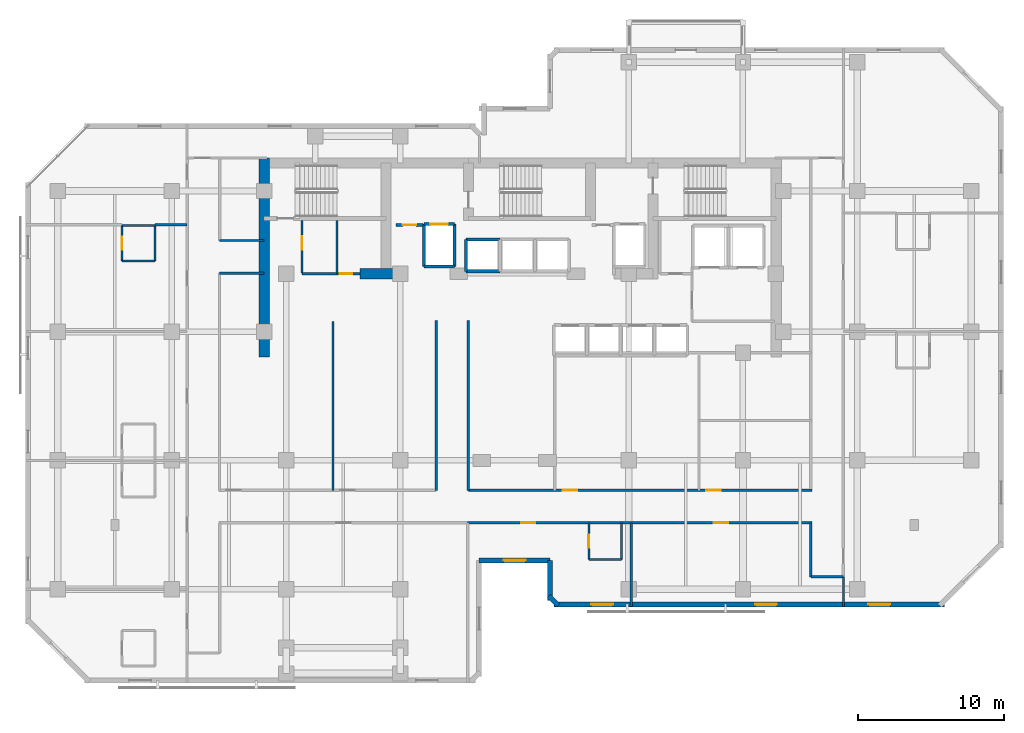
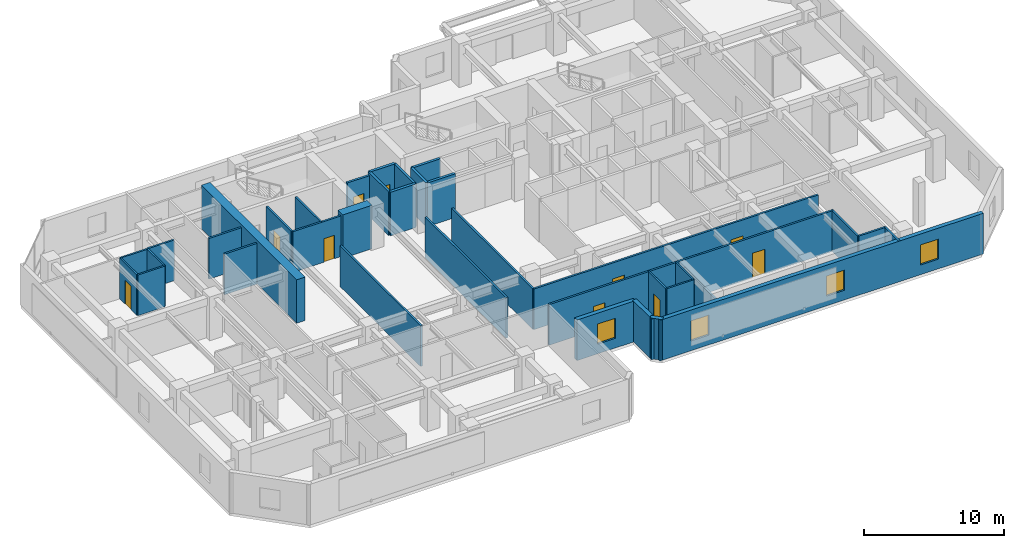
# One storey, part 5 of 10: 36 walls, 10 doors, 4 windows, 14 openings.
"""IFC4 building model written with IfcOpenShell, lengths in metres."""

import ifcopenshell
import ifcopenshell.guid

model = None  # the IFC model being written
_history = None  # IfcOwnerHistory: only IFC2X3 demands one
_inside = {}  # id of a spatial element -> (the spatial element, [elements in it])
_under = {}  # id of a project, library or spatial element -> (it, [spatial elements below it])
_declared = {}  # id of a project -> (the project, [libraries it declares])
_typed = {}  # id of a type object -> (the type object, [elements of that type])
_made_of = {}  # id of a material, layer set ... -> (it, [elements and type objects made of it])


def new_model(schema):
    """Start an empty IFC model of exactly this schema.

    Asked for "IFC4X3", IfcOpenShell would pick the latest addendum, in which some entities
    have other attributes; the version numbers below select the first issue.
    IFC2X3 requires an IfcOwnerHistory on every rooted entity: one is made here for all.
    """
    global model, _history
    if schema == "IFC4X3":
        model = ifcopenshell.file(schema_version=(4, 3, 0, 0))
    else:
        model = ifcopenshell.file(schema=schema)
    _inside.clear()
    _under.clear()
    _declared.clear()
    _typed.clear()
    _made_of.clear()
    _history = None
    if model.schema == "IFC2X3":
        org = make("IfcOrganization", Name="unknown")
        user = make(
            "IfcPersonAndOrganization",
            ThePerson=make("IfcPerson", FamilyName="unknown"),
            TheOrganization=org,
        )
        app = make(
            "IfcApplication",
            ApplicationDeveloper=org,
            Version="unknown",
            ApplicationFullName="unknown",
            ApplicationIdentifier="unknown",
        )
        _history = make(
            "IfcOwnerHistory",
            OwningUser=user,
            OwningApplication=app,
            ChangeAction="ADDED",
            CreationDate=0,
        )
    return model


def make(cls, **values):
    """One entity of the class cls with the attributes given. An attribute that is None is left unset."""
    return model.create_entity(
        cls, **{name: value for name, value in values.items() if value is not None}
    )


def rooted(cls, **values):
    """An entity with a GlobalId (a new one), such as an element, a storey or a relation."""
    return make(cls, GlobalId=ifcopenshell.guid.new(), OwnerHistory=_history, **values)


def si_unit(unit_type, name, prefix=None):
    """IfcSIUnit, for example si_unit("LENGTHUNIT", "METRE", prefix="MILLI")."""
    return make("IfcSIUnit", UnitType=unit_type, Prefix=prefix, Name=name)


def assignment(units):
    """IfcUnitAssignment: the units of a project."""
    return None if units is None else make("IfcUnitAssignment", Units=units)


def point(xyz):
    """IfcCartesianPoint."""
    return None if xyz is None else make("IfcCartesianPoint", Coordinates=xyz)


def direction(xyz):
    """IfcDirection."""
    return None if xyz is None else make("IfcDirection", DirectionRatios=xyz)


def frame(location, z_axis=None, x_axis=None):
    """IfcAxis2Placement3D, a coordinate frame: its origin and axes. An axis left out is left unset."""
    return make(
        "IfcAxis2Placement3D",
        Location=point(location),
        Axis=direction(z_axis),
        RefDirection=direction(x_axis),
    )


def frame_2d(location, x_axis=None):
    """IfcAxis2Placement2D, a coordinate frame in the plane: its origin and x axis."""
    return make(
        "IfcAxis2Placement2D", Location=point(location), RefDirection=direction(x_axis)
    )


def origin():
    """The frame at (0, 0, 0) with its axes left unset."""
    return frame((0.0, 0.0, 0.0))


def place(relative_to, where):
    """IfcLocalPlacement: puts the frame where relative to a parent placement (None: the world)."""
    return make(
        "IfcLocalPlacement", PlacementRelTo=relative_to, RelativePlacement=where
    )


def context(
    kind, dimensions, precision=None, world=None, true_north=None, identifier=None
):
    """IfcGeometricRepresentationContext, for example the 3D "Model" context."""
    return make(
        "IfcGeometricRepresentationContext",
        ContextIdentifier=identifier,
        ContextType=kind,
        CoordinateSpaceDimension=dimensions,
        Precision=precision,
        WorldCoordinateSystem=world,
        TrueNorth=true_north,
    )


def subcontext(parent, identifier, kind, view, scale=None):
    """IfcGeometricRepresentationSubContext, for example "Body" below "Model"."""
    return make(
        "IfcGeometricRepresentationSubContext",
        ContextIdentifier=identifier,
        ContextType=kind,
        ParentContext=parent,
        TargetScale=scale,
        TargetView=view,
    )


def project(units=None, contexts=None):
    """IfcProject with its units and contexts."""
    return rooted(
        "IfcProject",
        Name="project",
        RepresentationContexts=contexts,
        UnitsInContext=assignment(units),
    )


def spatial(cls, under=None, at=None, **own):
    """A site, building, storey or space (cls), placed at a placement, below another one or the project."""
    s = rooted(cls, ObjectPlacement=at, **own)
    if under is not None:
        _under.setdefault(under.id(), (under, []))[1].append(s)
    return s


def profile(cls, at=None, kind="AREA", **sizes):
    """A parametric profile (cls). Its sizes go by their IFC names, for example OverallWidth=200.0."""
    return make(cls, ProfileType=kind, Position=at, **sizes)


def rectangle(**sizes):
    """IfcRectangleProfileDef."""
    return profile("IfcRectangleProfileDef", **sizes)


def extrude(swept, where, along, depth):
    """IfcExtrudedAreaSolid: the profile swept, set in the frame where, extruded along a direction by depth."""
    return make(
        "IfcExtrudedAreaSolid",
        SweptArea=swept,
        Position=where,
        ExtrudedDirection=direction(along),
        Depth=depth,
    )


def shape(context_of_items, identifier, shape_type, items):
    """IfcShapeRepresentation: the items that make up one representation, for example the "Body"."""
    return make(
        "IfcShapeRepresentation",
        ContextOfItems=context_of_items,
        RepresentationIdentifier=identifier,
        RepresentationType=shape_type,
        Items=items,
    )


def material(Name=None, Category=None):
    """IfcMaterial."""
    return make("IfcMaterial", Name=Name, Category=Category)


def layer(
    of_material, thickness, ventilated=None, Name=None, Category=None, Priority=None
):
    """IfcMaterialLayer: one layer of a wall or slab, of a material (None: an air gap)."""
    return make(
        "IfcMaterialLayer",
        Material=of_material,
        LayerThickness=thickness,
        IsVentilated=ventilated,
        Name=Name,
        Category=Category,
        Priority=Priority,
    )


def layer_set(layers, Name=None):
    """IfcMaterialLayerSet."""
    return make("IfcMaterialLayerSet", MaterialLayers=layers, LayerSetName=Name)


def made_of(thing, what):
    """Note that an element or type object is made of a material, layer set ...; save() writes the relation."""
    if what is not None:
        _made_of.setdefault(what.id(), (what, []))[1].append(thing)
    return thing


def type_object(cls, material=None, **own):
    """A type object (cls), such as IfcWallType, which elements share."""
    return made_of(rooted(cls, **own), material)


def element(
    cls,
    number,
    at=None,
    inside=None,
    cuts=None,
    type_object=None,
    material=None,
    context=None,
    identifier="Body",
    shape_type=None,
    held_by="IfcProductDefinitionShape",
    body=None,
    shapes=None,
    **own,
):
    """One element of the class cls, such as IfcWall. Its Tag is "e" and its number.

    at: its placement. inside: the storey or other place that contains it. cuts: it is an
    opening in that element (IfcRelVoidsElement). A single representation is given by context,
    identifier, shape_type and body (its items); several are given by shapes. held_by: the class
    of the entity that holds the representations. save() writes the other relations.
    """
    e = rooted(cls, Tag="e%d" % number, ObjectPlacement=at, **own)
    if body is not None:
        shapes = [shape(context, identifier, shape_type, body)]
    if shapes is not None:
        e.Representation = make(held_by, Representations=shapes)
    if inside is not None:
        _inside.setdefault(inside.id(), (inside, []))[1].append(e)
    if cuts is not None:
        rooted(
            "IfcRelVoidsElement", RelatingBuildingElement=cuts, RelatedOpeningElement=e
        )
    if type_object is not None:
        _typed.setdefault(type_object.id(), (type_object, []))[1].append(e)
    return made_of(e, material)


def fill(opening, filler):
    """IfcRelFillsElement: the door or window that sits in an opening."""
    return rooted(
        "IfcRelFillsElement",
        RelatingOpeningElement=opening,
        RelatedBuildingElement=filler,
    )


def aggregate(whole, parts):
    """IfcRelAggregates: a whole, such as a stair, and the parts it consists of."""
    return rooted("IfcRelAggregates", RelatingObject=whole, RelatedObjects=parts)


def save(model, path):
    """Write the relations noted so far, then the file.

    IfcRelAggregates (storeys below a building ...), IfcRelContainedInSpatialStructure (elements
    in a storey), IfcRelDefinesByType, IfcRelAssociatesMaterial and IfcRelDeclares: one each for
    every whole, place, type object, material and project.
    """
    for whole, parts in _under.values():
        aggregate(whole, parts)
    for where, things in _inside.values():
        rooted(
            "IfcRelContainedInSpatialStructure",
            RelatedElements=things,
            RelatingStructure=where,
        )
    for kind, things in _typed.values():
        rooted("IfcRelDefinesByType", RelatedObjects=things, RelatingType=kind)
    for what, things in _made_of.values():
        rooted("IfcRelAssociatesMaterial", RelatedObjects=things, RelatingMaterial=what)
    for by, libraries in _declared.values():
        rooted("IfcRelDeclares", RelatingContext=by, RelatedDefinitions=libraries)
    model.write(path)


model = new_model("IFC4")

# Units and contexts
model_context = context("Model", 3, precision=1e-05, world=origin(), true_north=direction((0.0, 1.0)))
body_context = subcontext(model_context, "Body", "Model", "MODEL_VIEW")
ifc_project = project(units=[si_unit("LENGTHUNIT", "METRE"), si_unit("AREAUNIT", "SQUARE_METRE"), si_unit("VOLUMEUNIT", "CUBIC_METRE"), si_unit("PLANEANGLEUNIT", "RADIAN"), si_unit("MASSUNIT", "GRAM", prefix="KILO")], contexts=[model_context])

# Site, building, storey
site_placement = place(None, origin())
site = spatial("IfcSite", under=ifc_project, at=site_placement, CompositionType="ELEMENT")
building_placement = place(site_placement, origin())
building = spatial("IfcBuilding", under=site, at=building_placement, Name="Kestravale Grand Hotel", CompositionType="ELEMENT")
storey_placement = place(building_placement, frame((0.0, 0.0, 149.800048828125)))
storey = spatial("IfcBuildingStorey", under=building, at=storey_placement, Name="L37", CompositionType="ELEMENT", Elevation=149.800048828125)

# Walls
ifc_material_1 = material(Name="Concrete f'c 60 MPa", Category="concrete")
ifc_layer_1 = layer(ifc_material_1, 0.699951171875)
ifc_layer_set_1 = layer_set([ifc_layer_1], Name="EW-CORE-700")
wall_type_1 = type_object("IfcWallType", Name="EW-CORE-700", PredefinedType="SHEAR", material=ifc_layer_set_1)
wall_1_placement = place(storey_placement, frame((21.89990234375, 27.050048828125, 0.0), z_axis=(0.0, 0.0, 1.0), x_axis=(0.0, 1.0, 0.0)))
element("IfcWall", 1, at=wall_1_placement, inside=storey, type_object=wall_type_1, Name="L37 core shear wall W1", PredefinedType="SHEAR", context=body_context, shape_type="SweptSolid", body=[
    extrude(rectangle(XDim=13.619873046875, YDim=0.699951171875, at=frame_2d((6.81005859375, 0.0))), origin(), (0.0, 0.0, 1.0), 3.800048828125),
])
wall_2_placement = place(storey_placement, frame((28.449951171875, 32.75, 0.0), z_axis=(0.0, 0.0, 1.0), x_axis=(1.0, 0.0, 0.0)))
element("IfcWall", 2, at=wall_2_placement, inside=storey, type_object=wall_type_1, Name="L37 core shear wall S1", PredefinedType="SHEAR", context=body_context, shape_type="SweptSolid", body=[
    extrude(rectangle(XDim=2.400146484375, YDim=0.699951171875, at=frame_2d((1.2001953125, 0.0))), origin(), (0.0, 0.0, 1.0), 3.800048828125),
])

# Wall, opening, window
ifc_material_2 = material(Name="Precast concrete f'c 45 MPa", Category="concrete")
ifc_layer_2 = layer(ifc_material_2, 0.340087890625)
ifc_layer_set_2 = layer_set([ifc_layer_2], Name="EW-PREC-340")
wall_type_2 = type_object("IfcWallType", Name="EW-PREC-340", PredefinedType="SOLIDWALL", material=ifc_layer_set_2)
wall_3_placement = place(storey_placement, frame((36.580078125, 13.169921875, 0.0), z_axis=(0.0, 0.0, 1.0), x_axis=(1.0, 0.0, 0.0)))
wall_3 = element("IfcWall", 3, at=wall_3_placement, inside=storey, type_object=wall_type_2, Name="L37 fluted precast facade wall 4", PredefinedType="SOLIDWALL", context=body_context, shape_type="SweptSolid", body=[
    extrude(rectangle(XDim=4.83984375, YDim=0.340087890625, at=frame_2d((2.419921875, 0.0))), origin(), (0.0, 0.0, 1.0), 3.550048828125),
])
opening_1_placement = place(wall_3_placement, frame((1.669921875, 0.0, 0.85009765625)))
opening_1 = element("IfcOpeningElement", 4, at=opening_1_placement, cuts=wall_3, Name="Opening W-GUEST-1500", PredefinedType="OPENING", context=body_context, shape_type="SweptSolid", body=[
    extrude(rectangle(XDim=1.5, YDim=1.75, at=frame_2d((0.75, 0.875))), frame((0.0, 0.179931640625, 0.0), z_axis=(0.0, -1.0, 0.0), x_axis=(1.0, 0.0, 0.0)), (0.0, 0.0, 1.0), 0.360107421875),
])
ifc_material_3 = material(Name="Insulated low-E double glazing in aluminium frame", Category="aluminium")
window_type = type_object("IfcWindowType", Name="W-GUEST-1500", PartitioningType="SINGLE_PANEL", PredefinedType="WINDOW", material=ifc_material_3)
window_1_placement = place(opening_1_placement, origin())
window_1 = element("IfcWindow", 5, at=window_1_placement, inside=storey, type_object=window_type, Name="L37 exterior window 4.1", OverallHeight=1.75, OverallWidth=1.5, PartitioningType="SINGLE_PANEL", PredefinedType="WINDOW", context=body_context, shape_type="SweptSolid", body=[
    extrude(rectangle(XDim=1.5, YDim=1.75, at=frame_2d((0.75, 0.875))), frame((0.0, 0.030029296875, 0.0), z_axis=(0.0, -1.0, 0.0), x_axis=(1.0, 0.0, 0.0)), (0.0, 0.0, 1.0), 0.06005859375),
])
fill(opening_1, window_1)

# Walls
wall_4_placement = place(storey_placement, frame((41.419921875, 13.169921875, 0.0), z_axis=(0.0, 0.0, 1.0), x_axis=(0.0, -1.0, 0.0)))
element("IfcWall", 6, at=wall_4_placement, inside=storey, type_object=wall_type_2, Name="L37 fluted precast facade wall 5", PredefinedType="SOLIDWALL", context=body_context, shape_type="SweptSolid", body=[
    extrude(rectangle(XDim=2.739990234375, YDim=0.340087890625, at=frame_2d((1.3701171875, 0.0))), origin(), (0.0, 0.0, 1.0), 3.550048828125),
])
wall_5_placement = place(storey_placement, frame((41.341796875, 10.74853515625, 0.0), z_axis=(0.0, 0.0, 1.0), x_axis=(0.707106781187, -0.707106781187, 0.0)))
element("IfcWall", 7, at=wall_5_placement, inside=storey, type_object=wall_type_2, Name="L37 fluted precast facade wall 6", PredefinedType="SOLIDWALL", context=body_context, shape_type="SweptSolid", body=[
    extrude(rectangle(XDim=0.9287109375, YDim=0.340087890625, at=frame_2d((0.46435546875, 0.0))), origin(), (0.0, 0.0, 1.0), 3.550048828125),
])

# Wall, openings, windows
wall_6_placement = place(storey_placement, frame((41.679931640625, 10.169921875, 0.0), z_axis=(0.0, 0.0, 1.0), x_axis=(1.0, 0.0, 0.0)))
wall_6 = element("IfcWall", 8, at=wall_6_placement, inside=storey, type_object=wall_type_2, Name="L37 fluted precast facade wall 7", PredefinedType="SOLIDWALL", context=body_context, shape_type="SweptSolid", body=[
    extrude(rectangle(XDim=26.690185546875, YDim=0.340087890625, at=frame_2d((13.34521484375, 0.0))), origin(), (0.0, 0.0, 1.0), 3.550048828125),
])
opening_2_placement = place(wall_6_placement, frame((2.54833984375, 0.0, 0.85009765625)))
opening_2 = element("IfcOpeningElement", 9, at=opening_2_placement, cuts=wall_6, Name="Opening W-GUEST-1500", PredefinedType="OPENING", context=body_context, shape_type="SweptSolid", body=[
    extrude(rectangle(XDim=1.5, YDim=1.75, at=frame_2d((0.75, 0.875))), frame((0.0, 0.179931640625, 0.0), z_axis=(0.0, -1.0, 0.0), x_axis=(1.0, 0.0, 0.0)), (0.0, 0.0, 1.0), 0.360107421875),
])
opening_3_placement = place(wall_6_placement, frame((13.7451171875, 0.0, 0.85009765625)))
opening_3 = element("IfcOpeningElement", 10, at=opening_3_placement, cuts=wall_6, Name="Opening W-GUEST-1500", PredefinedType="OPENING", context=body_context, shape_type="SweptSolid", body=[
    extrude(rectangle(XDim=1.5, YDim=1.75, at=frame_2d((0.75, 0.875))), frame((0.0, 0.179931640625, 0.0), z_axis=(0.0, -1.0, 0.0), x_axis=(1.0, 0.0, 0.0)), (0.0, 0.0, 1.0), 0.360107421875),
])
opening_4_placement = place(wall_6_placement, frame((21.49169921875, 0.0, 0.85009765625)))
opening_4 = element("IfcOpeningElement", 11, at=opening_4_placement, cuts=wall_6, Name="Opening W-GUEST-1500", PredefinedType="OPENING", context=body_context, shape_type="SweptSolid", body=[
    extrude(rectangle(XDim=1.5, YDim=1.75, at=frame_2d((0.75, 0.875))), frame((0.0, 0.179931640625, 0.0), z_axis=(0.0, -1.0, 0.0), x_axis=(1.0, 0.0, 0.0)), (0.0, 0.0, 1.0), 0.360107421875),
])
window_2_placement = place(opening_2_placement, origin())
window_2 = element("IfcWindow", 12, at=window_2_placement, inside=storey, type_object=window_type, Name="L37 exterior window 7.1", OverallHeight=1.75, OverallWidth=1.5, PartitioningType="SINGLE_PANEL", PredefinedType="WINDOW", context=body_context, shape_type="SweptSolid", body=[
    extrude(rectangle(XDim=1.5, YDim=1.75, at=frame_2d((0.75, 0.875))), frame((0.0, 0.030029296875, 0.0), z_axis=(0.0, -1.0, 0.0), x_axis=(1.0, 0.0, 0.0)), (0.0, 0.0, 1.0), 0.06005859375),
])
fill(opening_2, window_2)
window_3_placement = place(opening_3_placement, origin())
window_3 = element("IfcWindow", 13, at=window_3_placement, inside=storey, type_object=window_type, Name="L37 exterior window 7.2", OverallHeight=1.75, OverallWidth=1.5, PartitioningType="SINGLE_PANEL", PredefinedType="WINDOW", context=body_context, shape_type="SweptSolid", body=[
    extrude(rectangle(XDim=1.5, YDim=1.75, at=frame_2d((0.75, 0.875))), frame((0.0, 0.030029296875, 0.0), z_axis=(0.0, -1.0, 0.0), x_axis=(1.0, 0.0, 0.0)), (0.0, 0.0, 1.0), 0.06005859375),
])
fill(opening_3, window_3)
window_4_placement = place(opening_4_placement, origin())
window_4 = element("IfcWindow", 14, at=window_4_placement, inside=storey, type_object=window_type, Name="L37 exterior window 7.3", OverallHeight=1.75, OverallWidth=1.5, PartitioningType="SINGLE_PANEL", PredefinedType="WINDOW", context=body_context, shape_type="SweptSolid", body=[
    extrude(rectangle(XDim=1.5, YDim=1.75, at=frame_2d((0.75, 0.875))), frame((0.0, 0.030029296875, 0.0), z_axis=(0.0, -1.0, 0.0), x_axis=(1.0, 0.0, 0.0)), (0.0, 0.0, 1.0), 0.06005859375),
])
fill(opening_4, window_4)

# Wall, opening, door
ifc_material_4 = material(Name="Acoustic fire-rated gypsum board partition", Category="other")
ifc_layer_3 = layer(ifc_material_4, 0.159912109375)
ifc_layer_set_3 = layer_set([ifc_layer_3], Name="IW-CORR-160")
wall_type_3 = type_object("IfcWallType", Name="IW-CORR-160", PredefinedType="PARTITIONING", material=ifc_layer_set_3)
wall_7_placement = place(storey_placement, frame((24.47998046875, 32.800048828125, 0.0), z_axis=(0.0, 0.0, 1.0), x_axis=(0.0, 1.0, 0.0)))
wall_7 = element("IfcWall", 15, at=wall_7_placement, inside=storey, type_object=wall_type_3, Name="L37 west core vestibule wall", PredefinedType="PARTITIONING", context=body_context, shape_type="SweptSolid", body=[
    extrude(rectangle(XDim=3.570068359375, YDim=0.159912109375, at=frame_2d((1.78515625, 0.0))), origin(), (0.0, 0.0, 1.0), 3.550048828125),
])
opening_5_placement = place(wall_7_placement, frame((1.603515625, 0.0, 0.0)))
opening_5 = element("IfcOpeningElement", 16, at=opening_5_placement, cuts=wall_7, Name="Opening D-SH-900", PredefinedType="OPENING", context=body_context, shape_type="SweptSolid", body=[
    extrude(rectangle(XDim=0.89990234375, YDim=2.10009765625, at=frame_2d((0.449951171875, 1.050048828125))), frame((0.0, 0.08984375, 0.0), z_axis=(0.0, -1.0, 0.0), x_axis=(1.0, 0.0, 0.0)), (0.0, 0.0, 1.0), 0.179931640625),
])
ifc_material_5 = material(Name="Galvanised 90-minute shaft and service fire door", Category="steel")
door_type_1 = type_object("IfcDoorType", Name="D-SH-900", OperationType="NOTDEFINED", PredefinedType="DOOR", material=ifc_material_5)
door_1_placement = place(opening_5_placement, origin())
door_1 = element("IfcDoor", 17, at=door_1_placement, inside=storey, type_object=door_type_1, Name="D-L37-HK", OperationType="SINGLE_SWING_RIGHT", OverallHeight=2.10009765625, OverallWidth=0.89990234375, PredefinedType="DOOR", context=body_context, shape_type="SweptSolid", body=[
    extrude(rectangle(XDim=0.89990234375, YDim=2.10009765625, at=frame_2d((0.449951171875, 1.050048828125))), frame((0.0, 0.02490234375, 0.0), z_axis=(0.0, -1.0, 0.0), x_axis=(1.0, 0.0, 0.0)), (0.0, 0.0, 1.0), 0.050048828125),
])
fill(opening_5, door_1)

wall_8_placement = place(storey_placement, frame((24.47998046875, 32.75, 0.0), z_axis=(0.0, 0.0, 1.0), x_axis=(1.0, 0.0, 0.0)))
wall_8 = element("IfcWall", 18, at=wall_8_placement, inside=storey, type_object=wall_type_3, Name="W-L37-CWS", PredefinedType="PARTITIONING", context=body_context, shape_type="SweptSolid", body=[
    extrude(rectangle(XDim=3.969970703125, YDim=0.159912109375, at=frame_2d((1.98486328125, 0.0))), origin(), (0.0, 0.0, 1.0), 3.550048828125),
])
opening_6_placement = place(wall_8_placement, frame((2.5849609375, 0.0, 0.0)))
opening_6 = element("IfcOpeningElement", 19, at=opening_6_placement, cuts=wall_8, Name="Opening D-SH-860", PredefinedType="OPENING", context=body_context, shape_type="SweptSolid", body=[
    extrude(rectangle(XDim=0.860107421875, YDim=2.050048828125, at=frame_2d((0.43017578125, 1.02490234375))), frame((0.0, 0.08984375, 0.0), z_axis=(0.0, -1.0, 0.0), x_axis=(1.0, 0.0, 0.0)), (0.0, 0.0, 1.0), 0.179931640625),
])
ifc_material_6 = material(Name="Galvanised 90-minute riser fire door", Category="steel")
door_type_2 = type_object("IfcDoorType", Name="D-SH-860", OperationType="NOTDEFINED", PredefinedType="DOOR", material=ifc_material_6)
door_2_placement = place(opening_6_placement, origin())
door_2 = element("IfcDoor", 20, at=door_2_placement, inside=storey, type_object=door_type_2, Name="D-L37-ELEC", OperationType="SINGLE_SWING_RIGHT", OverallHeight=2.050048828125, OverallWidth=0.860107421875, PredefinedType="DOOR", context=body_context, shape_type="SweptSolid", body=[
    extrude(rectangle(XDim=0.860107421875, YDim=2.050048828125, at=frame_2d((0.43017578125, 1.02490234375))), frame((0.0, 0.02490234375, 0.0), z_axis=(0.0, -1.0, 0.0), x_axis=(1.0, 0.0, 0.0)), (0.0, 0.0, 1.0), 0.050048828125),
])
fill(opening_6, door_2)

# Wall, openings, doors
wall_9_placement = place(storey_placement, frame((35.85009765625, 17.9599609375, 0.0), z_axis=(0.0, 0.0, 1.0), x_axis=(1.0, 0.0, 0.0)))
wall_9 = element("IfcWall", 21, at=wall_9_placement, inside=storey, type_object=wall_type_3, Name="W-L37-CE-N", PredefinedType="PARTITIONING", context=body_context, shape_type="SweptSolid", body=[
    extrude(rectangle(XDim=23.449951171875, YDim=0.159912109375, at=frame_2d((11.72509765625, 0.0))), origin(), (0.0, 0.0, 1.0), 3.550048828125),
])
opening_7_placement = place(wall_9_placement, frame((6.449951171875, 0.0, 0.0)))
opening_7 = element("IfcOpeningElement", 22, at=opening_7_placement, cuts=wall_9, Name="Opening D-GUEST-1000", PredefinedType="OPENING", context=body_context, shape_type="SweptSolid", body=[
    extrude(rectangle(XDim=1.0, YDim=2.14990234375, at=frame_2d((0.5, 1.074951171875))), frame((0.0, 0.08984375, 0.0), z_axis=(0.0, -1.0, 0.0), x_axis=(1.0, 0.0, 0.0)), (0.0, 0.0, 1.0), 0.179931640625),
])
opening_8_placement = place(wall_9_placement, frame((16.25, 0.0, 0.0)))
opening_8 = element("IfcOpeningElement", 23, at=opening_8_placement, cuts=wall_9, Name="Opening D-GUEST-1000", PredefinedType="OPENING", context=body_context, shape_type="SweptSolid", body=[
    extrude(rectangle(XDim=1.0, YDim=2.14990234375, at=frame_2d((0.5, 1.074951171875))), frame((0.0, 0.08984375, 0.0), z_axis=(0.0, -1.0, 0.0), x_axis=(1.0, 0.0, 0.0)), (0.0, 0.0, 1.0), 0.179931640625),
])
ifc_material_7 = material(Name="Accessible walnut veneer hotel entrance fire door", Category="wood")
door_type_3 = type_object("IfcDoorType", Name="D-GUEST-1000", OperationType="NOTDEFINED", PredefinedType="DOOR", material=ifc_material_7)
door_3_placement = place(opening_7_placement, origin())
door_3 = element("IfcDoor", 24, at=door_3_placement, inside=storey, type_object=door_type_3, Name="D-L37-RECL-E1", OperationType="SINGLE_SWING_LEFT", OverallHeight=2.14990234375, OverallWidth=1.0, PredefinedType="DOOR", context=body_context, shape_type="SweptSolid", body=[
    extrude(rectangle(XDim=1.0, YDim=2.14990234375, at=frame_2d((0.5, 1.074951171875))), frame((0.0, 0.02490234375, 0.0), z_axis=(0.0, -1.0, 0.0), x_axis=(1.0, 0.0, 0.0)), (0.0, 0.0, 1.0), 0.050048828125),
])
fill(opening_7, door_3)
door_4_placement = place(opening_8_placement, origin())
door_4 = element("IfcDoor", 25, at=door_4_placement, inside=storey, type_object=door_type_3, Name="D-L37-RECL-E2", OperationType="SINGLE_SWING_RIGHT", OverallHeight=2.14990234375, OverallWidth=1.0, PredefinedType="DOOR", context=body_context, shape_type="SweptSolid", body=[
    extrude(rectangle(XDim=1.0, YDim=2.14990234375, at=frame_2d((0.5, 1.074951171875))), frame((0.0, 0.02490234375, 0.0), z_axis=(0.0, -1.0, 0.0), x_axis=(1.0, 0.0, 0.0)), (0.0, 0.0, 1.0), 0.050048828125),
])
fill(opening_8, door_4)

# Walls
for number, where, z_axis, x_axis, name in (
    (26, (33.64990234375, 17.9599609375, 0.0), (0.0, 0.0, 1.0), (0.0, 1.0, 0.0), "W-L37-TRUNK-W"),
    (27, (35.85009765625, 17.9599609375, 0.0), (0.0, 0.0, 1.0), (0.0, 1.0, 0.0), "W-L37-TRUNK-E"),
):
    element("IfcWall", number, at=place(storey_placement, frame(where, z_axis=z_axis, x_axis=x_axis)), inside=storey, type_object=wall_type_3, Name=name, PredefinedType="PARTITIONING", context=body_context, shape_type="SweptSolid", body=[
        extrude(rectangle(XDim=11.590087890625, YDim=0.159912109375, at=frame_2d((5.794921875, 0.0))), origin(), (0.0, 0.0, 1.0), 3.550048828125),
    ])

# Wall, openings, doors
wall_10_placement = place(storey_placement, frame((35.800048828125, 15.739990234375, 0.0), z_axis=(0.0, 0.0, 1.0), x_axis=(1.0, 0.0, 0.0)))
wall_10 = element("IfcWall", 28, at=wall_10_placement, inside=storey, type_object=wall_type_3, Name="W-L37-CE-S", PredefinedType="PARTITIONING", context=body_context, shape_type="SweptSolid", body=[
    extrude(rectangle(XDim=23.5, YDim=0.159912109375, at=frame_2d((11.75, 0.0))), origin(), (0.0, 0.0, 1.0), 3.550048828125),
])
opening_9_placement = place(wall_10_placement, frame((3.659912109375, 0.0, 0.0)))
opening_9 = element("IfcOpeningElement", 29, at=opening_9_placement, cuts=wall_10, Name="Opening D-GUEST-950", PredefinedType="OPENING", context=body_context, shape_type="SweptSolid", body=[
    extrude(rectangle(XDim=0.949951171875, YDim=2.10009765625, at=frame_2d((0.47509765625, 1.050048828125))), frame((0.0, 0.08984375, 0.0), z_axis=(0.0, -1.0, 0.0), x_axis=(1.0, 0.0, 0.0)), (0.0, 0.0, 1.0), 0.179931640625),
])
opening_10_placement = place(wall_10_placement, frame((16.804931640625, 0.0, 0.0)))
opening_10 = element("IfcOpeningElement", 30, at=opening_10_placement, cuts=wall_10, Name="Opening D-GUEST-1000", PredefinedType="OPENING", context=body_context, shape_type="SweptSolid", body=[
    extrude(rectangle(XDim=1.0, YDim=2.14990234375, at=frame_2d((0.5, 1.074951171875))), frame((0.0, 0.08984375, 0.0), z_axis=(0.0, -1.0, 0.0), x_axis=(1.0, 0.0, 0.0)), (0.0, 0.0, 1.0), 0.179931640625),
])
door_5_placement = place(opening_10_placement, origin())
door_5 = element("IfcDoor", 31, at=door_5_placement, inside=storey, type_object=door_type_3, Name="D-L37-AME", OperationType="SINGLE_SWING_RIGHT", OverallHeight=2.14990234375, OverallWidth=1.0, PredefinedType="DOOR", context=body_context, shape_type="SweptSolid", body=[
    extrude(rectangle(XDim=1.0, YDim=2.14990234375, at=frame_2d((0.5, 1.074951171875))), frame((0.0, 0.02490234375, 0.0), z_axis=(0.0, -1.0, 0.0), x_axis=(1.0, 0.0, 0.0)), (0.0, 0.0, 1.0), 0.050048828125),
])
fill(opening_10, door_5)
ifc_material_8 = material(Name="Walnut veneer hotel guestroom entrance fire door", Category="wood")
door_type_4 = type_object("IfcDoorType", Name="D-GUEST-950", OperationType="NOTDEFINED", PredefinedType="DOOR", material=ifc_material_8)
door_6_placement = place(opening_9_placement, origin())
door_6 = element("IfcDoor", 32, at=door_6_placement, inside=storey, type_object=door_type_4, Name="D-L37-U01-ENT", OperationType="SINGLE_SWING_LEFT", OverallHeight=2.10009765625, OverallWidth=0.949951171875, PredefinedType="DOOR", context=body_context, shape_type="SweptSolid", body=[
    extrude(rectangle(XDim=0.949951171875, YDim=2.10009765625, at=frame_2d((0.47509765625, 1.050048828125))), frame((0.0, 0.02490234375, 0.0), z_axis=(0.0, -1.0, 0.0), x_axis=(1.0, 0.0, 0.0)), (0.0, 0.0, 1.0), 0.050048828125),
])
fill(opening_9, door_6)

# Walls
for number, where, z_axis, x_axis, name in (
    (33, (18.860107421875, 35.02001953125, 0.0), (0.0, 0.0, 1.0), (1.0, 0.0, 0.0), "W-L37-SW-CN"),
    (34, (18.860107421875, 32.780029296875, 0.0), (0.0, 0.0, 1.0), (1.0, 0.0, 0.0), "W-L37-SW-CS"),
):
    element("IfcWall", number, at=place(storey_placement, frame(where, z_axis=z_axis, x_axis=x_axis)), inside=storey, type_object=wall_type_3, Name=name, PredefinedType="PARTITIONING", context=body_context, shape_type="SweptSolid", body=[
        extrude(rectangle(XDim=3.039794921875, YDim=0.159912109375, at=frame_2d((1.52001953125, 0.0))), origin(), (0.0, 0.0, 1.0), 3.550048828125),
    ])
wall_11_placement = place(storey_placement, frame((59.239990234375, 12.050048828125, 0.0), z_axis=(0.0, 0.0, 1.0), x_axis=(0.0, 1.0, 0.0)))
element("IfcWall", 35, at=wall_11_placement, inside=storey, type_object=wall_type_3, Name="W-L37-SE-W", PredefinedType="PARTITIONING", context=body_context, shape_type="SweptSolid", body=[
    extrude(rectangle(XDim=3.68994140625, YDim=0.159912109375, at=frame_2d((1.844970703125, 0.0))), origin(), (0.0, 0.0, 1.0), 3.550048828125),
])

# Wall, opening, door
ifc_material_9 = material(Name="Fire-rated gypsum board on steel studs with mineral wool", Category="steel")
ifc_layer_4 = layer(ifc_material_9, 0.179931640625)
ifc_layer_set_4 = layer_set([ifc_layer_4], Name="IW-FSAE-180")
wall_type_4 = type_object("IfcWallType", Name="IW-FSAE-180", PredefinedType="PARTITIONING", material=ifc_layer_set_4)
wall_12_placement = place(storey_placement, frame((30.89990234375, 36.080078125, 0.0), z_axis=(0.0, 0.0, 1.0), x_axis=(1.0, 0.0, 0.0)))
wall_12 = element("IfcWall", 36, at=wall_12_placement, inside=storey, type_object=wall_type_4, Name="L37 FSAE Lobby 1 smoke barrier", PredefinedType="PARTITIONING", context=body_context, shape_type="SweptSolid", body=[
    extrude(rectangle(XDim=1.85009765625, YDim=0.179931640625, at=frame_2d((0.925048828125, 0.0))), origin(), (0.0, 0.0, 1.0), 3.550048828125),
])
opening_11_placement = place(wall_12_placement, frame((0.47998046875, 0.0, 0.0)))
opening_11 = element("IfcOpeningElement", 37, at=opening_11_placement, cuts=wall_12, Name="Opening D-FSAE-1000", PredefinedType="OPENING", context=body_context, shape_type="SweptSolid", body=[
    extrude(rectangle(XDim=0.89990234375, YDim=2.14990234375, at=frame_2d((0.449951171875, 1.074951171875))), frame((0.0, 0.099853515625, 0.0), z_axis=(0.0, -1.0, 0.0), x_axis=(1.0, 0.0, 0.0)), (0.0, 0.0, 1.0), 0.199951171875),
])
ifc_material_10 = material(Name="Smoke-gasketed FSAE lobby fire door", Category="steel")
door_type_5 = type_object("IfcDoorType", Name="D-FSAE-1000", OperationType="NOTDEFINED", PredefinedType="DOOR", material=ifc_material_10)
door_7_placement = place(opening_11_placement, origin())
door_7 = element("IfcDoor", 38, at=door_7_placement, inside=storey, type_object=door_type_5, Name="L37 FSAE Lobby 1 fire door", OperationType="SINGLE_SWING_RIGHT", OverallHeight=2.14990234375, OverallWidth=0.89990234375, PredefinedType="DOOR", context=body_context, shape_type="SweptSolid", body=[
    extrude(rectangle(XDim=0.89990234375, YDim=2.14990234375, at=frame_2d((0.449951171875, 1.074951171875))), frame((0.0, 0.02490234375, 0.0), z_axis=(0.0, -1.0, 0.0), x_axis=(1.0, 0.0, 0.0)), (0.0, 0.0, 1.0), 0.050048828125),
])
fill(opening_11, door_7)

ifc_material_11 = material(Name="Moisture-resistant tile-backer plumbing chase wall", Category="other")
ifc_layer_5 = layer(ifc_material_11, 0.139892578125)
ifc_layer_set_5 = layer_set([ifc_layer_5], Name="IW-PLB-140")
wall_type_5 = type_object("IfcWallType", Name="IW-PLB-140", PredefinedType="PLUMBINGWALL", material=ifc_layer_set_5)
wall_13_placement = place(storey_placement, frame((44.070068359375, 13.22998046875, 0.0), z_axis=(0.0, 0.0, 1.0), x_axis=(0.0, 1.0, 0.0)))
wall_13 = element("IfcWall", 39, at=wall_13_placement, inside=storey, type_object=wall_type_5, Name="W-L37-U01-BW", PredefinedType="PLUMBINGWALL", context=body_context, shape_type="SweptSolid", body=[
    extrude(rectangle(XDim=2.489990234375, YDim=0.139892578125, at=frame_2d((1.2451171875, 0.0))), origin(), (0.0, 0.0, 1.0), 3.550048828125),
])
opening_12_placement = place(wall_13_placement, frame((0.804931640625, 0.0, 0.0)))
opening_12 = element("IfcOpeningElement", 40, at=opening_12_placement, cuts=wall_13, Name="Opening D-BATH-880", PredefinedType="OPENING", context=body_context, shape_type="SweptSolid", body=[
    extrude(rectangle(XDim=0.8798828125, YDim=2.050048828125, at=frame_2d((0.43994140625, 1.02490234375))), frame((0.0, 0.079833984375, 0.0), z_axis=(0.0, -1.0, 0.0), x_axis=(1.0, 0.0, 0.0)), (0.0, 0.0, 1.0), 0.159912109375),
])
ifc_material_12 = material(Name="Moisture-sealed walnut en-suite bathroom door", Category="wood")
door_type_6 = type_object("IfcDoorType", Name="D-BATH-880", OperationType="NOTDEFINED", PredefinedType="DOOR", material=ifc_material_12)
door_8_placement = place(opening_12_placement, origin())
door_8 = element("IfcDoor", 41, at=door_8_placement, inside=storey, type_object=door_type_6, Name="D-L37-U01-BATH", OperationType="SINGLE_SWING_RIGHT", OverallHeight=2.050048828125, OverallWidth=0.8798828125, PredefinedType="DOOR", context=body_context, shape_type="SweptSolid", body=[
    extrude(rectangle(XDim=0.8798828125, YDim=2.050048828125, at=frame_2d((0.43994140625, 1.02490234375))), frame((0.0, 0.02490234375, 0.0), z_axis=(0.0, -1.0, 0.0), x_axis=(1.0, 0.0, 0.0)), (0.0, 0.0, 1.0), 0.050048828125),
])
fill(opening_12, door_8)

# Walls
wall_14_placement = place(storey_placement, frame((46.320068359375, 13.22998046875, 0.0), z_axis=(0.0, 0.0, 1.0), x_axis=(0.0, 1.0, 0.0)))
element("IfcWall", 42, at=wall_14_placement, inside=storey, type_object=wall_type_5, Name="W-L37-U01-BE", PredefinedType="PLUMBINGWALL", context=body_context, shape_type="SweptSolid", body=[
    extrude(rectangle(XDim=2.489990234375, YDim=0.139892578125, at=frame_2d((1.2451171875, 0.0))), origin(), (0.0, 0.0, 1.0), 3.550048828125),
])
wall_15_placement = place(storey_placement, frame((44.070068359375, 13.22998046875, 0.0), z_axis=(0.0, 0.0, 1.0), x_axis=(1.0, 0.0, 0.0)))
element("IfcWall", 43, at=wall_15_placement, inside=storey, type_object=wall_type_5, Name="W-L37-U01-BS", PredefinedType="PLUMBINGWALL", context=body_context, shape_type="SweptSolid", body=[
    extrude(rectangle(XDim=2.25, YDim=0.139892578125, at=frame_2d((1.125, 0.0))), origin(), (0.0, 0.0, 1.0), 3.550048828125),
])

# Wall, opening, door
wall_16_placement = place(storey_placement, frame((12.199951171875, 33.610107421875, 0.0), z_axis=(0.0, 0.0, 1.0), x_axis=(0.0, 1.0, 0.0)))
wall_16 = element("IfcWall", 44, at=wall_16_placement, inside=storey, type_object=wall_type_5, Name="W-L37-U05-BW", PredefinedType="PLUMBINGWALL", context=body_context, shape_type="SweptSolid", body=[
    extrude(rectangle(XDim=2.449951171875, YDim=0.139892578125, at=frame_2d((1.22509765625, 0.0))), origin(), (0.0, 0.0, 1.0), 3.550048828125),
])
opening_13_placement = place(wall_16_placement, frame((0.784912109375, 0.0, 0.0)))
opening_13 = element("IfcOpeningElement", 45, at=opening_13_placement, cuts=wall_16, Name="Opening D-BATH-880", PredefinedType="OPENING", context=body_context, shape_type="SweptSolid", body=[
    extrude(rectangle(XDim=0.8798828125, YDim=2.050048828125, at=frame_2d((0.43994140625, 1.02490234375))), frame((0.0, 0.079833984375, 0.0), z_axis=(0.0, -1.0, 0.0), x_axis=(1.0, 0.0, 0.0)), (0.0, 0.0, 1.0), 0.159912109375),
])
door_9_placement = place(opening_13_placement, origin())
door_9 = element("IfcDoor", 46, at=door_9_placement, inside=storey, type_object=door_type_6, Name="D-L37-U05-BATH", OperationType="SINGLE_SWING_LEFT", OverallHeight=2.050048828125, OverallWidth=0.8798828125, PredefinedType="DOOR", context=body_context, shape_type="SweptSolid", body=[
    extrude(rectangle(XDim=0.8798828125, YDim=2.050048828125, at=frame_2d((0.43994140625, 1.02490234375))), frame((0.0, 0.02490234375, 0.0), z_axis=(0.0, -1.0, 0.0), x_axis=(1.0, 0.0, 0.0)), (0.0, 0.0, 1.0), 0.050048828125),
])
fill(opening_13, door_9)

# Walls
wall_17_placement = place(storey_placement, frame((14.449951171875, 33.610107421875, 0.0), z_axis=(0.0, 0.0, 1.0), x_axis=(0.0, 1.0, 0.0)))
element("IfcWall", 47, at=wall_17_placement, inside=storey, type_object=wall_type_5, Name="W-L37-U05-BE", PredefinedType="PLUMBINGWALL", context=body_context, shape_type="SweptSolid", body=[
    extrude(rectangle(XDim=2.449951171875, YDim=0.139892578125, at=frame_2d((1.22509765625, 0.0))), origin(), (0.0, 0.0, 1.0), 3.550048828125),
])
for number, where, z_axis, x_axis, name in (
    (48, (12.199951171875, 33.610107421875, 0.0), (0.0, 0.0, 1.0), (1.0, 0.0, 0.0), "W-L37-U05-BS"),
    (49, (12.199951171875, 36.06005859375, 0.0), (0.0, 0.0, 1.0), (1.0, 0.0, 0.0), "W-L37-U05-BN"),
):
    element("IfcWall", number, at=place(storey_placement, frame(where, z_axis=z_axis, x_axis=x_axis)), inside=storey, type_object=wall_type_5, Name=name, PredefinedType="PLUMBINGWALL", context=body_context, shape_type="SweptSolid", body=[
        extrude(rectangle(XDim=2.25, YDim=0.139892578125, at=frame_2d((1.125, 0.0))), origin(), (0.0, 0.0, 1.0), 3.550048828125),
    ])
ifc_material_13 = material(Name="Concrete f'c 45 MPa", Category="concrete")
ifc_layer_6 = layer(ifc_material_13, 0.199951171875)
ifc_layer_set_6 = layer_set([ifc_layer_6], Name="IW-SHAFT-200")
wall_type_6 = type_object("IfcWallType", Name="IW-SHAFT-200", PredefinedType="SHEAR", material=ifc_layer_set_6)
wall_18_placement = place(storey_placement, frame((35.679931640625, 32.919921875, 0.0), z_axis=(0.0, 0.0, 1.0), x_axis=(0.0, 1.0, 0.0)))
element("IfcWall", 50, at=wall_18_placement, inside=storey, type_object=wall_type_6, Name="L37 PL-X1 west shaft wall", PredefinedType="SHEAR", context=body_context, shape_type="SweptSolid", body=[
    extrude(rectangle(XDim=2.16015625, YDim=0.199951171875, at=frame_2d((1.080078125, 0.0))), origin(), (0.0, 0.0, 1.0), 3.800048828125),
])
for number, where, z_axis, x_axis, name in (
    (51, (32.804931640625, 33.2451171875, 0.0), (0.0, 0.0, 1.0), (0.0, 1.0, 0.0), "L37 FL-1 west shaft wall"),
    (52, (34.89501953125, 33.2451171875, 0.0), (0.0, 0.0, 1.0), (0.0, 1.0, 0.0), "L37 FL-1 east shaft wall"),
):
    element("IfcWall", number, at=place(storey_placement, frame(where, z_axis=z_axis, x_axis=x_axis)), inside=storey, type_object=wall_type_6, Name=name, PredefinedType="SHEAR", context=body_context, shape_type="SweptSolid", body=[
        extrude(rectangle(XDim=2.909912109375, YDim=0.199951171875, at=frame_2d((1.455078125, 0.0))), origin(), (0.0, 0.0, 1.0), 3.800048828125),
    ])
ifc_material_14 = material(Name="Concrete f'c 45 MPa", Category="concrete")
ifc_layer_7 = layer(ifc_material_14, 0.219970703125)
ifc_layer_set_7 = layer_set([ifc_layer_7], Name="IW-SHAFT-220")
wall_type_7 = type_object("IfcWallType", Name="IW-SHAFT-220", PredefinedType="SHEAR", material=ifc_layer_set_7)
for number, where, z_axis, x_axis, name in (
    (53, (35.679931640625, 35.080078125, 0.0), (0.0, 0.0, 1.0), (1.0, 0.0, 0.0), "L37 PL-X1 north shaft wall"),
    (54, (35.679931640625, 32.919921875, 0.0), (0.0, 0.0, 1.0), (1.0, 0.0, 0.0), "L37 PL-X1 south shaft wall"),
):
    element("IfcWall", number, at=place(storey_placement, frame(where, z_axis=z_axis, x_axis=x_axis)), inside=storey, type_object=wall_type_7, Name=name, PredefinedType="SHEAR", context=body_context, shape_type="SweptSolid", body=[
        extrude(rectangle(XDim=2.320068359375, YDim=0.219970703125, at=frame_2d((1.16015625, 0.0))), origin(), (0.0, 0.0, 1.0), 3.800048828125),
    ])

# Wall, opening, door
wall_19_placement = place(storey_placement, frame((32.804931640625, 36.155029296875, 0.0), z_axis=(0.0, 0.0, 1.0), x_axis=(1.0, 0.0, 0.0)))
wall_19 = element("IfcWall", 55, at=wall_19_placement, inside=storey, type_object=wall_type_7, Name="L37 FL-1 north shaft wall", PredefinedType="SHEAR", context=body_context, shape_type="SweptSolid", body=[
    extrude(rectangle(XDim=2.090087890625, YDim=0.219970703125, at=frame_2d((1.044921875, 0.0))), origin(), (0.0, 0.0, 1.0), 3.800048828125),
])
opening_14_placement = place(wall_19_placement, frame((0.445068359375, 0.0, 0.0)))
opening_14 = element("IfcOpeningElement", 56, at=opening_14_placement, cuts=wall_19, Name="Opening LD-FSAE-1200", PredefinedType="OPENING", context=body_context, shape_type="SweptSolid", body=[
    extrude(rectangle(XDim=1.199951171875, YDim=2.14990234375, at=frame_2d((0.60009765625, 1.074951171875))), frame((0.0, 0.119873046875, 0.0), z_axis=(0.0, -1.0, 0.0), x_axis=(1.0, 0.0, 0.0)), (0.0, 0.0, 1.0), 0.239990234375),
])
ifc_material_15 = material(Name="Stainless fire-service sliding elevator landing door", Category="steel")
door_type_7 = type_object("IfcDoorType", Name="LD-FSAE-1200", OperationType="NOTDEFINED", PredefinedType="DOOR", material=ifc_material_15)
door_10_placement = place(opening_14_placement, origin())
door_10 = element("IfcDoor", 57, at=door_10_placement, inside=storey, type_object=door_type_7, Name="L37 FL-1 elevator landing sliding door", OperationType="DOUBLE_DOOR_SLIDING", OverallHeight=2.14990234375, OverallWidth=1.199951171875, PredefinedType="DOOR", context=body_context, shape_type="SweptSolid", body=[
    extrude(rectangle(XDim=1.199951171875, YDim=2.14990234375, at=frame_2d((0.60009765625, 1.074951171875))), frame((0.0, 0.02490234375, 0.0), z_axis=(0.0, -1.0, 0.0), x_axis=(1.0, 0.0, 0.0)), (0.0, 0.0, 1.0), 0.050048828125),
])
fill(opening_14, door_10)

# Walls
wall_20_placement = place(storey_placement, frame((32.804931640625, 33.2451171875, 0.0), z_axis=(0.0, 0.0, 1.0), x_axis=(1.0, 0.0, 0.0)))
element("IfcWall", 58, at=wall_20_placement, inside=storey, type_object=wall_type_7, Name="L37 FL-1 south shaft wall", PredefinedType="SHEAR", context=body_context, shape_type="SweptSolid", body=[
    extrude(rectangle(XDim=2.090087890625, YDim=0.219970703125, at=frame_2d((1.044921875, 0.0))), origin(), (0.0, 0.0, 1.0), 3.800048828125),
])
ifc_material_16 = material(Name="Double-stud STC 52 acoustic demising partition", Category="other")
ifc_layer_8 = layer(ifc_material_16, 0.14990234375)
ifc_layer_set_8 = layer_set([ifc_layer_8], Name="IW-UNIT-150")
wall_type_8 = type_object("IfcWallType", Name="IW-UNIT-150", PredefinedType="PARTITIONING", material=ifc_layer_set_8)
wall_21_placement = place(storey_placement, frame((26.8798828125, 32.75, 0.0), z_axis=(0.0, 0.0, 1.0), x_axis=(0.0, 1.0, 0.0)))
element("IfcWall", 59, at=wall_21_placement, inside=storey, type_object=wall_type_8, Name="W-L37-CC0-1", PredefinedType="PARTITIONING", context=body_context, shape_type="SweptSolid", body=[
    extrude(rectangle(XDim=3.6201171875, YDim=0.14990234375, at=frame_2d((1.81005859375, 0.0))), origin(), (0.0, 0.0, 1.0), 3.550048828125),
])
wall_22_placement = place(storey_placement, frame((59.239990234375, 12.050048828125, 0.0), z_axis=(0.0, 0.0, 1.0), x_axis=(1.0, 0.0, 0.0)))
element("IfcWall", 60, at=wall_22_placement, inside=storey, type_object=wall_type_8, Name="W-L37-SE-S", PredefinedType="PARTITIONING", context=body_context, shape_type="SweptSolid", body=[
    extrude(rectangle(XDim=2.219970703125, YDim=0.14990234375, at=frame_2d((1.10986328125, 0.0))), origin(), (0.0, 0.0, 1.0), 3.550048828125),
])
wall_23_placement = place(storey_placement, frame((26.60009765625, 17.9599609375, 0.0), z_axis=(0.0, 0.0, 1.0), x_axis=(0.0, 1.0, 0.0)))
element("IfcWall", 61, at=wall_23_placement, inside=storey, type_object=wall_type_8, Name="W-L37-RCLW-M", PredefinedType="PARTITIONING", context=body_context, shape_type="SweptSolid", body=[
    extrude(rectangle(XDim=11.5400390625, YDim=0.14990234375, at=frame_2d((5.77001953125, 0.0))), origin(), (0.0, 0.0, 1.0), 3.550048828125),
])
wall_24_placement = place(storey_placement, frame((46.969970703125, 10.02001953125, 0.0), z_axis=(0.0, 0.0, 1.0), x_axis=(0.0, 1.0, 0.0)))
element("IfcWall", 62, at=wall_24_placement, inside=storey, type_object=wall_type_8, Name="W-L37-ES-1", PredefinedType="PARTITIONING", context=body_context, shape_type="SweptSolid", body=[
    extrude(rectangle(XDim=5.719970703125, YDim=0.14990234375, at=frame_2d((2.85986328125, 0.0))), origin(), (0.0, 0.0, 1.0), 2.89990234375),
])
wall_25_placement = place(storey_placement, frame((14.449951171875, 36.10009765625, 0.0), z_axis=(0.0, 0.0, 1.0), x_axis=(1.0, 0.0, 0.0)))
element("IfcWall", 63, at=wall_25_placement, inside=storey, type_object=wall_type_8, Name="W-L37-WW-4", PredefinedType="PARTITIONING", context=body_context, shape_type="SweptSolid", body=[
    extrude(rectangle(XDim=2.18994140625, YDim=0.14990234375, at=frame_2d((1.094970703125, 0.0))), origin(), (0.0, 0.0, 1.0), 3.550048828125),
])
wall_26_placement = place(storey_placement, frame((61.4599609375, 10.02001953125, 0.0), z_axis=(0.0, 0.0, 1.0), x_axis=(0.0, 1.0, 0.0)))
element("IfcWall", 64, at=wall_26_placement, inside=storey, type_object=wall_type_8, Name="W-L37-SE-EXT", PredefinedType="PARTITIONING", context=body_context, shape_type="SweptSolid", body=[
    extrude(rectangle(XDim=2.030029296875, YDim=0.14990234375, at=frame_2d((1.01513671875, 0.0))), origin(), (0.0, 0.0, 1.0), 3.550048828125),
])

save(model, "model.ifc")
